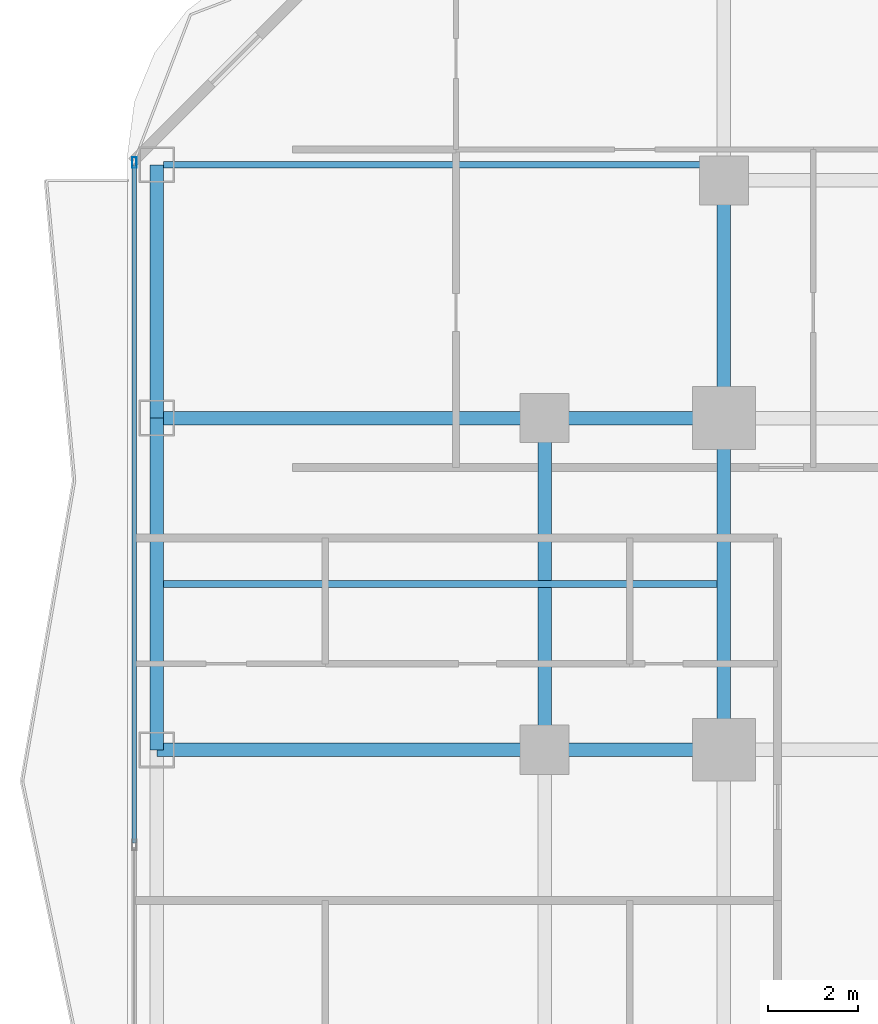
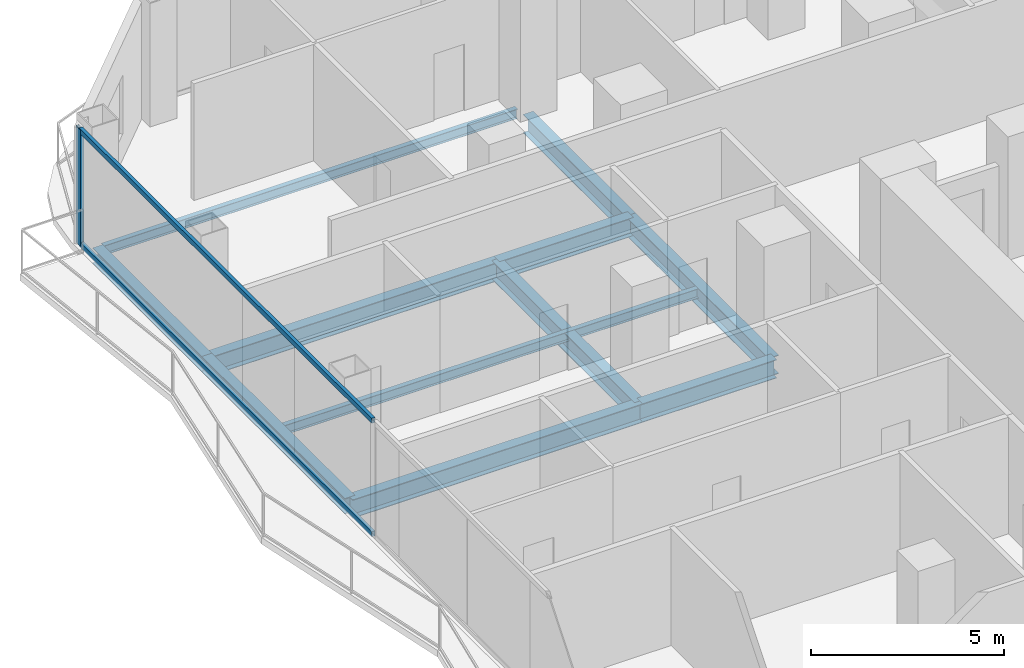
# One storey, part 13 of 29: 11 beams, 3 members, 1 element without a shape of its own.
"""IFC4 building model written with IfcOpenShell, lengths in metres."""

from ifc_helpers import new_model, si_unit, direction, frame, origin, origin_2d, place, context, subcontext, project, spatial, hollow_rectangle, i_section, extrude, material, layer, layer_set, material_profile, profile_set, type_object, element, aggregate, save


model = new_model("IFC4")

# Units and contexts
model_context = context("Model", 3, precision=1e-05, world=origin(), true_north=direction((0.0, 1.0)))
body_context = subcontext(model_context, "Body", "Model", "MODEL_VIEW")
ifc_project = project(units=[si_unit("LENGTHUNIT", "METRE"), si_unit("AREAUNIT", "SQUARE_METRE"), si_unit("VOLUMEUNIT", "CUBIC_METRE"), si_unit("PLANEANGLEUNIT", "RADIAN"), si_unit("MASSUNIT", "GRAM", prefix="KILO")], contexts=[model_context])

# Site, building, storey
site_placement = place(None, origin())
site = spatial("IfcSite", under=ifc_project, at=site_placement, CompositionType="ELEMENT")
building_placement = place(site_placement, origin())
building = spatial("IfcBuilding", under=site, at=building_placement, Name="Khorvyn Point Tower", CompositionType="ELEMENT")
storey_placement = place(building_placement, frame((0.0, 0.0, 61.800048828125)))
storey = spatial("IfcBuildingStorey", under=building, at=storey_placement, Name="L16", CompositionType="ELEMENT", Elevation=61.800048828125)

# Curtain wall, members
ifc_material_1 = material(Name="Anodised aluminium 6063-T6 and laminated Low-E glass", Category="aluminium")
ifc_layer = layer(ifc_material_1, 0.18994140625)
ifc_layer_set = layer_set([ifc_layer], Name="Stick-Built Finned Residential Curtain Wall CW-SYS-02")
curtain_wall_type = type_object("IfcCurtainWallType", Name="Stick-Built Finned Residential Curtain Wall CW-SYS-02", PredefinedType="NOTDEFINED", material=ifc_layer_set)
curtain_wall_placement = place(storey_placement, origin())
curtain_wall = element("IfcCurtainWall", 1, at=curtain_wall_placement, inside=storey, type_object=curtain_wall_type, Name="Curtain Wall", PredefinedType="NOTDEFINED")
ifc_material_2 = material(Name="Anodised aluminium 6063-T6", Category="aluminium")
ifc_material_profile_1 = material_profile(ifc_material_2, hollow_rectangle(XDim=0.10009765625, YDim=0.239990234375, WallThickness=0.0048828125, at=origin_2d()))
ifc_profile_set_1 = profile_set([ifc_material_profile_1], Name="Anodised aluminium 6063-T6 ALU-MUL-100x240")
member_type_1 = type_object("IfcMemberType", Name="Anodised Aluminium 6063-T6 Mullion ALU-MUL-100x240", PredefinedType="MULLION", material=ifc_profile_set_1)
member_1_placement = place(storey_placement, frame((-27.949951171875, 20.5, 0.0), z_axis=(0.0, 0.0, 1.0), x_axis=(-1.0, 0.0, 0.0)))
member_1 = element("IfcMember", 2, at=member_1_placement, type_object=member_type_1, Name="Transom", PredefinedType="MULLION", context=body_context, shape_type="SweptSolid", body=[
    extrude(hollow_rectangle(XDim=0.10009765625, YDim=0.239990234375, WallThickness=0.0048828125, at=origin_2d()), origin(), (0.0, 0.0, 1.0), 3.679931640625),
])
ifc_material_profile_2 = material_profile(ifc_material_2, hollow_rectangle(XDim=0.10009765625, YDim=0.159912109375, WallThickness=0.00439453125, at=origin_2d()))
ifc_profile_set_2 = profile_set([ifc_material_profile_2], Name="Anodised aluminium 6063-T6 ALU-TRN-100x160")
member_type_2 = type_object("IfcMemberType", Name="Anodised Aluminium 6063-T6 Transom ALU-TRN-100x160", PredefinedType="USERDEFINED", material=ifc_profile_set_2)
member_2_placement = place(storey_placement, frame((-27.949951171875, 5.324951171875, 0.050048828125), z_axis=(0.0, 1.0, 0.0), x_axis=(-1.0, 0.0, 0.0)))
member_2 = element("IfcMember", 3, at=member_2_placement, type_object=member_type_2, Name="Transom", ObjectType="TRANSOM", PredefinedType="USERDEFINED", context=body_context, shape_type="SweptSolid", body=[
    extrude(hollow_rectangle(XDim=0.10009765625, YDim=0.159912109375, WallThickness=0.00439453125, at=origin_2d()), origin(), (0.0, 0.0, 1.0), 15.125),
])
member_3_placement = place(storey_placement, frame((-27.949951171875, 5.324951171875, 3.6298828125), z_axis=(0.0, 1.0, 0.0), x_axis=(-1.0, 0.0, 0.0)))
member_3 = element("IfcMember", 4, at=member_3_placement, type_object=member_type_2, Name="Transom", ObjectType="TRANSOM", PredefinedType="USERDEFINED", context=body_context, shape_type="SweptSolid", body=[
    extrude(hollow_rectangle(XDim=0.10009765625, YDim=0.159912109375, WallThickness=0.00439453125, at=origin_2d()), origin(), (0.0, 0.0, 1.0), 15.125),
])
aggregate(curtain_wall, [member_1, member_2, member_3])

# Beams
ifc_material_3 = material(Name="Steel S355", Category="steel")
ifc_material_profile_3 = material_profile(ifc_material_3, i_section(OverallWidth=0.300048828125, OverallDepth=0.587890625, WebThickness=0.011962890625, FlangeThickness=0.02001953125, at=origin_2d()))
ifc_profile_set_3 = profile_set([ifc_material_profile_3], Name="Steel S355 H588x300x12x20")
beam_type_1 = type_object("IfcBeamType", Name="Steel S355 Beam H588x300x12x20", PredefinedType="BEAM", material=ifc_profile_set_3)
beam_1_placement = place(storey_placement, frame((-27.449951171875, 14.800048828125, -0.51416015625), z_axis=(1.0, 0.0, 0.0), x_axis=(0.0, 1.0, 0.0)))
element("IfcBeam", 5, at=beam_1_placement, inside=storey, type_object=beam_type_1, Name="Beam", PredefinedType="BEAM", context=body_context, shape_type="SweptSolid", body=[
    extrude(i_section(OverallWidth=0.300048828125, OverallDepth=0.587890625, WebThickness=0.011962890625, FlangeThickness=0.02001953125, at=origin_2d()), origin(), (0.0, 0.0, 1.0), 8.64990234375),
])
beam_2_placement = place(storey_placement, frame((-18.800048828125, 14.800048828125, -0.51416015625), z_axis=(1.0, 0.0, 0.0), x_axis=(0.0, 1.0, 0.0)))
element("IfcBeam", 6, at=beam_2_placement, inside=storey, type_object=beam_type_1, Name="Beam", PredefinedType="BEAM", context=body_context, shape_type="SweptSolid", body=[
    extrude(i_section(OverallWidth=0.300048828125, OverallDepth=0.587890625, WebThickness=0.011962890625, FlangeThickness=0.02001953125, at=origin_2d()), origin(), (0.0, 0.0, 1.0), 4.0),
])
beam_3_placement = place(storey_placement, frame((-27.449951171875, 7.39990234375, -0.51416015625), z_axis=(1.0, 0.0, 0.0), x_axis=(0.0, 1.0, 0.0)))
element("IfcBeam", 7, at=beam_3_placement, inside=storey, type_object=beam_type_1, Name="Beam", PredefinedType="BEAM", context=body_context, shape_type="SweptSolid", body=[
    extrude(i_section(OverallWidth=0.300048828125, OverallDepth=0.587890625, WebThickness=0.011962890625, FlangeThickness=0.02001953125, at=origin_2d()), origin(), (0.0, 0.0, 1.0), 8.64990234375),
])
beam_4_placement = place(storey_placement, frame((-18.800048828125, 7.39990234375, -0.51416015625), z_axis=(1.0, 0.0, 0.0), x_axis=(0.0, 1.0, 0.0)))
element("IfcBeam", 8, at=beam_4_placement, inside=storey, type_object=beam_type_1, Name="Beam", PredefinedType="BEAM", context=body_context, shape_type="SweptSolid", body=[
    extrude(i_section(OverallWidth=0.300048828125, OverallDepth=0.587890625, WebThickness=0.011962890625, FlangeThickness=0.02001953125, at=origin_2d()), origin(), (0.0, 0.0, 1.0), 4.0),
])
beam_5_placement = place(storey_placement, frame((-14.800048828125, 7.39990234375, -0.51416015625), z_axis=(0.0, 1.0, 0.0), x_axis=(-1.0, 0.0, 0.0)))
element("IfcBeam", 9, at=beam_5_placement, inside=storey, type_object=beam_type_1, Name="Beam", PredefinedType="BEAM", context=body_context, shape_type="SweptSolid", body=[
    extrude(i_section(OverallWidth=0.300048828125, OverallDepth=0.587890625, WebThickness=0.011962890625, FlangeThickness=0.02001953125, at=origin_2d()), origin(), (0.0, 0.0, 1.0), 7.400146484375),
])
beam_6_placement = place(storey_placement, frame((-14.800048828125, 14.800048828125, -0.51416015625), z_axis=(0.0, 1.0, 0.0), x_axis=(-1.0, 0.0, 0.0)))
element("IfcBeam", 10, at=beam_6_placement, inside=storey, type_object=beam_type_1, Name="Beam", PredefinedType="BEAM", context=body_context, shape_type="SweptSolid", body=[
    extrude(i_section(OverallWidth=0.300048828125, OverallDepth=0.587890625, WebThickness=0.011962890625, FlangeThickness=0.02001953125, at=origin_2d()), origin(), (0.0, 0.0, 1.0), 5.300048828125),
])
beam_7_placement = place(storey_placement, frame((-18.800048828125, 7.39990234375, -0.51416015625), z_axis=(0.0, 1.0, 0.0), x_axis=(-1.0, 0.0, 0.0)))
element("IfcBeam", 11, at=beam_7_placement, inside=storey, type_object=beam_type_1, Name="Beam", PredefinedType="BEAM", context=body_context, shape_type="SweptSolid", body=[
    extrude(i_section(OverallWidth=0.300048828125, OverallDepth=0.587890625, WebThickness=0.011962890625, FlangeThickness=0.02001953125, at=origin_2d()), origin(), (0.0, 0.0, 1.0), 7.400146484375),
])
ifc_material_profile_4 = material_profile(ifc_material_3, i_section(OverallWidth=0.14990234375, OverallDepth=0.300048828125, WebThickness=0.006591796875, FlangeThickness=0.009033203125, at=origin_2d()))
ifc_profile_set_4 = profile_set([ifc_material_profile_4], Name="Steel S355 H300x150x6.5x9")
beam_type_2 = type_object("IfcBeamType", Name="Steel S355 Joist H300x150x6.5x9", PredefinedType="JOIST", material=ifc_profile_set_4)
for number, where, z_axis, x_axis, name in (
    (12, (-27.300048828125, 11.10009765625, -0.3701171875), (1.0, 0.0, 0.0), (0.0, 1.0, 0.0), "Beam"),
    (13, (-27.300048828125, 20.449951171875, -0.3701171875), (1.0, 0.0, 0.0), (0.0, 1.0, 0.0), "Beam"),
):
    element("IfcBeam", number, at=place(storey_placement, frame(where, z_axis=z_axis, x_axis=x_axis)), inside=storey, type_object=beam_type_2, Name=name, PredefinedType="JOIST", context=body_context, shape_type="SweptSolid", body=[
        extrude(i_section(OverallWidth=0.14990234375, OverallDepth=0.300048828125, WebThickness=0.006591796875, FlangeThickness=0.009033203125, at=origin_2d()), origin(), (0.0, 0.0, 1.0), 12.35009765625),
    ])
ifc_material_profile_5 = material_profile(ifc_material_3, i_section(OverallWidth=0.300048828125, OverallDepth=0.488037109375, WebThickness=0.010986328125, FlangeThickness=0.01806640625, at=origin_2d()))
ifc_profile_set_5 = profile_set([ifc_material_profile_5], Name="Steel S355 H488x300x11x18")
beam_type_3 = type_object("IfcBeamType", Name="Steel S355 Spandrel H488x300x11x18", PredefinedType="SPANDREL", material=ifc_profile_set_5)
beam_8_placement = place(storey_placement, frame((-27.449951171875, 7.39990234375, -0.464111328125), z_axis=(0.0, 1.0, 0.0), x_axis=(-1.0, 0.0, 0.0)))
element("IfcBeam", 14, at=beam_8_placement, inside=storey, type_object=beam_type_3, Name="Beam", PredefinedType="SPANDREL", context=body_context, shape_type="SweptSolid", body=[
    extrude(i_section(OverallWidth=0.300048828125, OverallDepth=0.488037109375, WebThickness=0.010986328125, FlangeThickness=0.01806640625, at=origin_2d()), origin(), (0.0, 0.0, 1.0), 7.400146484375),
])
beam_9_placement = place(storey_placement, frame((-27.449951171875, 14.800048828125, -0.464111328125), z_axis=(0.0, 1.0, 0.0), x_axis=(-1.0, 0.0, 0.0)))
element("IfcBeam", 15, at=beam_9_placement, inside=storey, type_object=beam_type_3, Name="Beam", PredefinedType="SPANDREL", context=body_context, shape_type="SweptSolid", body=[
    extrude(i_section(OverallWidth=0.300048828125, OverallDepth=0.488037109375, WebThickness=0.010986328125, FlangeThickness=0.01806640625, at=origin_2d()), origin(), (0.0, 0.0, 1.0), 5.64990234375),
])

save(model, "model.ifc")
